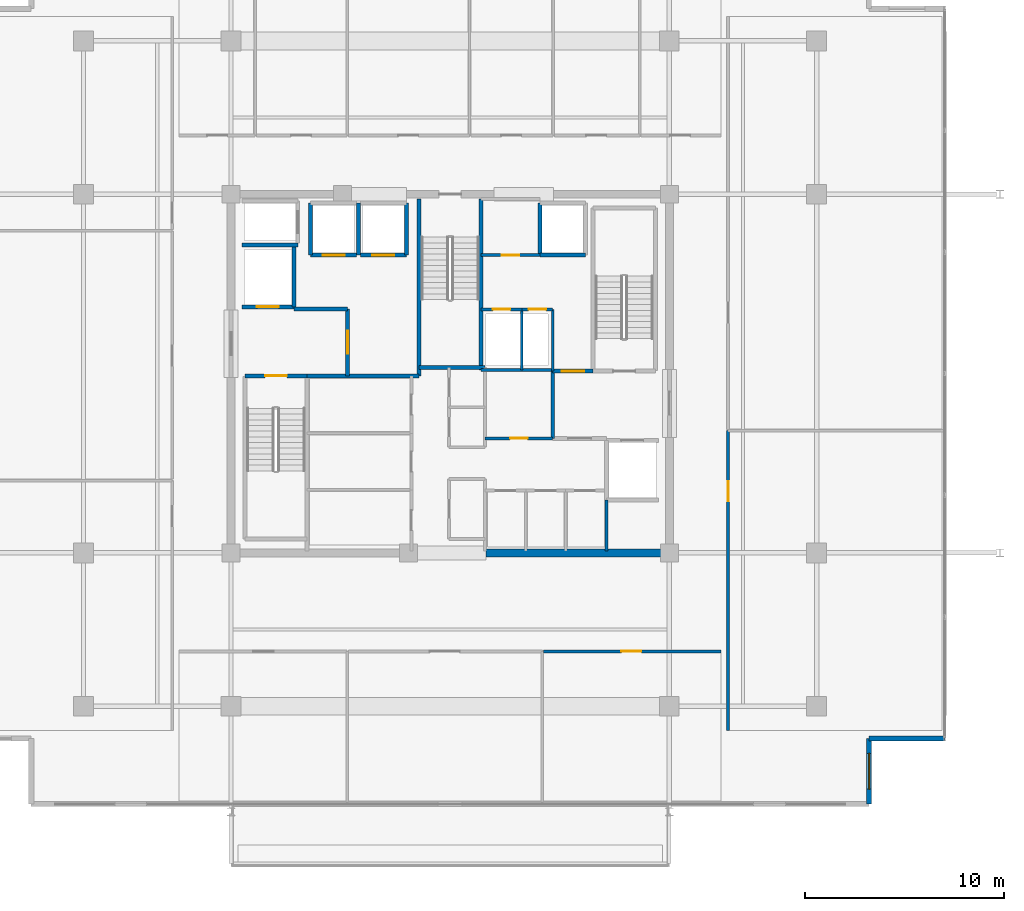
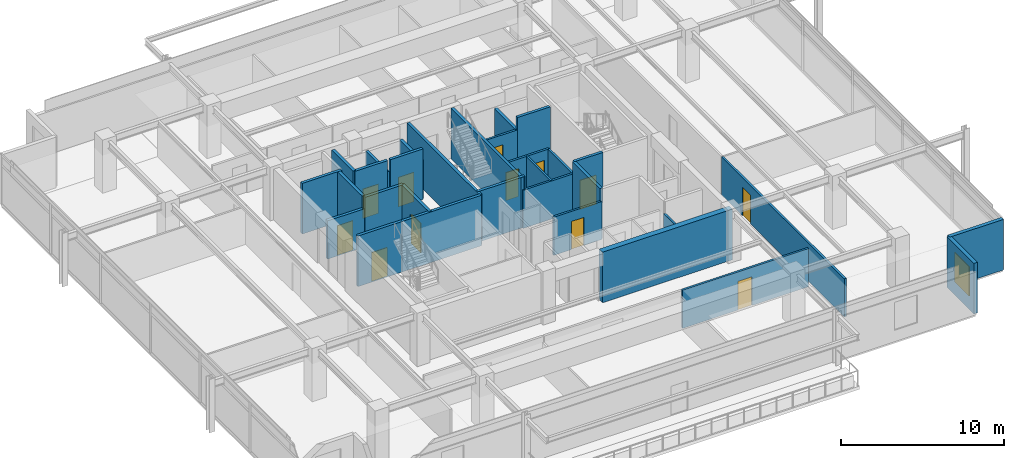
# One storey, part 14 of 20: 32 walls, 12 doors, 1 window, 13 openings.
"""IFC4 building model written with IfcOpenShell, lengths in metres."""

from ifc_helpers import new_model, si_unit, direction, frame, frame_2d, origin, place, context, subcontext, project, spatial, rectangle, extrude, material, layer, layer_set, type_object, element, fill, save


model = new_model("IFC4")

# Units and contexts
model_context = context("Model", 3, precision=1e-05, world=origin(), true_north=direction((0.0, 1.0)))
body_context = subcontext(model_context, "Body", "Model", "MODEL_VIEW")
ifc_project = project(units=[si_unit("LENGTHUNIT", "METRE"), si_unit("AREAUNIT", "SQUARE_METRE"), si_unit("VOLUMEUNIT", "CUBIC_METRE"), si_unit("PLANEANGLEUNIT", "RADIAN"), si_unit("MASSUNIT", "GRAM", prefix="KILO")], contexts=[model_context])

# Site, building, storey
site_placement = place(None, origin())
site = spatial("IfcSite", under=ifc_project, at=site_placement, CompositionType="ELEMENT")
building_placement = place(site_placement, origin())
building = spatial("IfcBuilding", under=site, at=building_placement, Name="Kovane Verandah Tower", CompositionType="ELEMENT")
storey_placement = place(building_placement, frame((0.0, 0.0, 318.800048828125)))
storey = spatial("IfcBuildingStorey", under=building, at=storey_placement, Name="L74", CompositionType="ELEMENT", Elevation=318.800048828125)

# Walls
ifc_material_1 = material(Name="Fire-Rated Gypsum Stud Partition", Category="gypsum")
ifc_layer_1 = layer(ifc_material_1, 0.14990234375)
ifc_layer_set_1 = layer_set([ifc_layer_1], Name="Fire-Rated Gypsum Stud Partition")
wall_type_1 = type_object("IfcWallType", Name="WL-COR-150", PredefinedType="PARTITIONING", material=ifc_layer_set_1)
wall_1_placement = place(storey_placement, frame((41.56005859375, 27.679931640625, 0.0), z_axis=(0.0, 0.0, 1.0), x_axis=(1.0, 0.0, 0.0)))
element("IfcWall", 1, at=wall_1_placement, inside=storey, type_object=wall_type_1, Name="L74 East Core Service Riser South Wall", PredefinedType="PARTITIONING", context=body_context, shape_type="SweptSolid", body=[
    extrude(rectangle(XDim=3.58984375, YDim=0.14990234375, at=frame_2d((1.794921875, 0.0))), origin(), (0.0, 0.0, 1.0), 2.849853515625),
])
wall_2_placement = place(storey_placement, frame((47.85009765625, 18.60009765625, 0.0), z_axis=(0.0, 0.0, 1.0), x_axis=(0.0, 1.0, 0.0)))
element("IfcWall", 2, at=wall_2_placement, inside=storey, type_object=wall_type_1, Name="L74 East Core Support East Wall", PredefinedType="PARTITIONING", context=body_context, shape_type="SweptSolid", body=[
    extrude(rectangle(XDim=2.539794921875, YDim=0.14990234375, at=frame_2d((1.27001953125, 0.0))), origin(), (0.0, 0.0, 1.0), 2.849853515625),
])

# Wall, opening, door
wall_3_placement = place(storey_placement, frame((41.760009765625, 24.25, 0.0), z_axis=(0.0, 0.0, 1.0), x_axis=(1.0, 0.0, 0.0)))
wall_3 = element("IfcWall", 3, at=wall_3_placement, inside=storey, type_object=wall_type_1, Name="L74 Supply Store Partition", PredefinedType="PARTITIONING", context=body_context, shape_type="SweptSolid", body=[
    extrude(rectangle(XDim=3.389892578125, YDim=0.14990234375, at=frame_2d((1.69482421875, 0.0))), origin(), (0.0, 0.0, 1.0), 2.849853515625),
])
opening_1_placement = place(wall_3_placement, frame((1.2548828125, 0.0, 0.0)))
opening_1 = element("IfcOpeningElement", 4, at=opening_1_placement, cuts=wall_3, Name="Opening DR-L74-019", PredefinedType="OPENING", context=body_context, shape_type="SweptSolid", body=[
    extrude(rectangle(XDim=0.8798828125, YDim=2.10009765625, at=frame_2d((0.43994140625, 1.050048828125))), frame((0.0, 0.074951171875, 0.0), z_axis=(0.0, -1.0, 0.0), x_axis=(1.0, 0.0, 0.0)), (0.0, 0.0, 1.0), 0.14990234375),
])
ifc_material_2 = material(Name="Fire-Rated Steel Riser Access Door", Category="steel")
door_type_1 = type_object("IfcDoorType", Name="DR-RISER-880", OperationType="SINGLE_SWING_LEFT", PredefinedType="DOOR", material=ifc_material_2)
door_1_placement = place(opening_1_placement, origin())
door_1 = element("IfcDoor", 5, at=door_1_placement, inside=storey, type_object=door_type_1, Name="L74 Supply Store Door", OperationType="SINGLE_SWING_RIGHT", OverallHeight=2.10009765625, OverallWidth=0.8798828125, PredefinedType="DOOR", context=body_context, shape_type="SweptSolid", body=[
    extrude(rectangle(XDim=0.8798828125, YDim=2.10009765625, at=frame_2d((0.43994140625, 1.050048828125))), frame((0.0, 0.02490234375, 0.0), z_axis=(0.0, -1.0, 0.0), x_axis=(1.0, 0.0, 0.0)), (0.0, 0.0, 1.0), 0.050048828125),
])
fill(opening_1, door_1)

# Wall
wall_4_placement = place(storey_placement, frame((45.14990234375, 27.6201171875, 0.0), z_axis=(0.0, 0.0, 1.0), x_axis=(0.0, 1.0, 0.0)))
element("IfcWall", 6, at=wall_4_placement, inside=storey, type_object=wall_type_1, Name="L74 East Core Service Riser East Wall", PredefinedType="PARTITIONING", context=body_context, shape_type="SweptSolid", body=[
    extrude(rectangle(XDim=3.099853515625, YDim=0.14990234375, at=frame_2d((1.5498046875, 0.0))), origin(), (0.0, 0.0, 1.0), 2.849853515625),
])

# Wall, opening, door
wall_5_placement = place(storey_placement, frame((41.56005859375, 30.719970703125, 0.0), z_axis=(0.0, 0.0, 1.0), x_axis=(1.0, 0.0, 0.0)))
wall_5 = element("IfcWall", 7, at=wall_5_placement, inside=storey, type_object=wall_type_1, Name="L74 Electrical Sub-Main Riser Room Partition", PredefinedType="PARTITIONING", context=body_context, shape_type="SweptSolid", body=[
    extrude(rectangle(XDim=2.0400390625, YDim=0.14990234375, at=frame_2d((1.02001953125, 0.0))), origin(), (0.0, 0.0, 1.0), 2.849853515625),
])
opening_2_placement = place(wall_5_placement, frame((0.580078125, 0.0, 0.0)))
opening_2 = element("IfcOpeningElement", 8, at=opening_2_placement, cuts=wall_5, Name="Opening DR-L74-021", PredefinedType="OPENING", context=body_context, shape_type="SweptSolid", body=[
    extrude(rectangle(XDim=0.8798828125, YDim=2.10009765625, at=frame_2d((0.43994140625, 1.050048828125))), frame((0.0, 0.074951171875, 0.0), z_axis=(0.0, -1.0, 0.0), x_axis=(1.0, 0.0, 0.0)), (0.0, 0.0, 1.0), 0.14990234375),
])
door_2_placement = place(opening_2_placement, origin())
door_2 = element("IfcDoor", 9, at=door_2_placement, inside=storey, type_object=door_type_1, Name="L74 Electrical Sub-Main Riser Room Door", OperationType="SINGLE_SWING_LEFT", OverallHeight=2.10009765625, OverallWidth=0.8798828125, PredefinedType="DOOR", context=body_context, shape_type="SweptSolid", body=[
    extrude(rectangle(XDim=0.8798828125, YDim=2.10009765625, at=frame_2d((0.43994140625, 1.050048828125))), frame((0.0, 0.02490234375, 0.0), z_axis=(0.0, -1.0, 0.0), x_axis=(1.0, 0.0, 0.0)), (0.0, 0.0, 1.0), 0.050048828125),
])
fill(opening_2, door_2)

wall_6_placement = place(storey_placement, frame((43.60009765625, 30.719970703125, 0.0), z_axis=(0.0, 0.0, 1.0), x_axis=(1.0, 0.0, 0.0)))
wall_6 = element("IfcWall", 10, at=wall_6_placement, inside=storey, type_object=wall_type_1, Name="L74 Sprinkler Wet Riser Room Partition", PredefinedType="PARTITIONING", context=body_context, shape_type="SweptSolid", body=[
    extrude(rectangle(XDim=1.5498046875, YDim=0.14990234375, at=frame_2d((0.77490234375, 0.0))), origin(), (0.0, 0.0, 1.0), 2.849853515625),
])
opening_3_placement = place(wall_6_placement, frame((0.3349609375, 0.0, 0.0)))
opening_3 = element("IfcOpeningElement", 11, at=opening_3_placement, cuts=wall_6, Name="Opening DR-L74-022", PredefinedType="OPENING", context=body_context, shape_type="SweptSolid", body=[
    extrude(rectangle(XDim=0.8798828125, YDim=2.10009765625, at=frame_2d((0.43994140625, 1.050048828125))), frame((0.0, 0.074951171875, 0.0), z_axis=(0.0, -1.0, 0.0), x_axis=(1.0, 0.0, 0.0)), (0.0, 0.0, 1.0), 0.14990234375),
])
door_3_placement = place(opening_3_placement, origin())
door_3 = element("IfcDoor", 12, at=door_3_placement, inside=storey, type_object=door_type_1, Name="L74 Sprinkler Wet Riser Room Door", OperationType="SINGLE_SWING_RIGHT", OverallHeight=2.10009765625, OverallWidth=0.8798828125, PredefinedType="DOOR", context=body_context, shape_type="SweptSolid", body=[
    extrude(rectangle(XDim=0.8798828125, YDim=2.10009765625, at=frame_2d((0.43994140625, 1.050048828125))), frame((0.0, 0.02490234375, 0.0), z_axis=(0.0, -1.0, 0.0), x_axis=(1.0, 0.0, 0.0)), (0.0, 0.0, 1.0), 0.050048828125),
])
fill(opening_3, door_3)

wall_7_placement = place(storey_placement, frame((41.56005859375, 33.449951171875, 0.0), z_axis=(0.0, 0.0, 1.0), x_axis=(1.0, 0.0, 0.0)))
wall_7 = element("IfcWall", 13, at=wall_7_placement, inside=storey, type_object=wall_type_1, Name="L74 Sky Telecom Riser Room Partition", PredefinedType="PARTITIONING", context=body_context, shape_type="SweptSolid", body=[
    extrude(rectangle(XDim=2.93994140625, YDim=0.14990234375, at=frame_2d((1.469970703125, 0.0))), origin(), (0.0, 0.0, 1.0), 2.849853515625),
])
opening_4_placement = place(wall_7_placement, frame((1.030029296875, 0.0, 0.0)))
opening_4 = element("IfcOpeningElement", 14, at=opening_4_placement, cuts=wall_7, Name="Opening DR-L74-020", PredefinedType="OPENING", context=body_context, shape_type="SweptSolid", body=[
    extrude(rectangle(XDim=0.8798828125, YDim=2.10009765625, at=frame_2d((0.43994140625, 1.050048828125))), frame((0.0, 0.074951171875, 0.0), z_axis=(0.0, -1.0, 0.0), x_axis=(1.0, 0.0, 0.0)), (0.0, 0.0, 1.0), 0.14990234375),
])
door_4_placement = place(opening_4_placement, origin())
door_4 = element("IfcDoor", 15, at=door_4_placement, inside=storey, type_object=door_type_1, Name="L74 Sky Telecom Riser Room Door", OperationType="SINGLE_SWING_LEFT", OverallHeight=2.10009765625, OverallWidth=0.8798828125, PredefinedType="DOOR", context=body_context, shape_type="SweptSolid", body=[
    extrude(rectangle(XDim=0.8798828125, YDim=2.10009765625, at=frame_2d((0.43994140625, 1.050048828125))), frame((0.0, 0.02490234375, 0.0), z_axis=(0.0, -1.0, 0.0), x_axis=(1.0, 0.0, 0.0)), (0.0, 0.0, 1.0), 0.050048828125),
])
fill(opening_4, door_4)

wall_8_placement = place(storey_placement, frame((44.694091796875, 13.550048828125, 0.0), z_axis=(0.0, 0.0, 1.0), x_axis=(1.0, 0.0, 0.0)))
wall_8 = element("IfcWall", 16, at=wall_8_placement, inside=storey, type_object=wall_type_1, Name="L74 Meeting Room S3 Corridor Partition", PredefinedType="PARTITIONING", context=body_context, shape_type="SweptSolid", body=[
    extrude(rectangle(XDim=8.906005859375, YDim=0.14990234375, at=frame_2d((4.453125, 0.0))), origin(), (0.0, 0.0, 1.0), 2.849853515625),
])
opening_5_placement = place(wall_8_placement, frame((3.903076171875, 0.0, 0.0)))
opening_5 = element("IfcOpeningElement", 17, at=opening_5_placement, cuts=wall_8, Name="Opening DR-L74-031", PredefinedType="OPENING", context=body_context, shape_type="SweptSolid", body=[
    extrude(rectangle(XDim=1.0, YDim=2.14990234375, at=frame_2d((0.5, 1.074951171875))), frame((0.0, 0.074951171875, 0.0), z_axis=(0.0, -1.0, 0.0), x_axis=(1.0, 0.0, 0.0)), (0.0, 0.0, 1.0), 0.14990234375),
])
ifc_material_3 = material(Name="FSC Spotted-Gum Timber Fire-Rated Office Door", Category="wood")
door_type_2 = type_object("IfcDoorType", Name="DR-OFF-1000", OperationType="SINGLE_SWING_LEFT", PredefinedType="DOOR", material=ifc_material_3)
door_5_placement = place(opening_5_placement, origin())
door_5 = element("IfcDoor", 18, at=door_5_placement, inside=storey, type_object=door_type_2, Name="L74 Meeting Room S3 Entrance Door", OperationType="SINGLE_SWING_RIGHT", OverallHeight=2.14990234375, OverallWidth=1.0, PredefinedType="DOOR", context=body_context, shape_type="SweptSolid", body=[
    extrude(rectangle(XDim=1.0, YDim=2.14990234375, at=frame_2d((0.5, 1.074951171875))), frame((0.0, 0.02490234375, 0.0), z_axis=(0.0, -1.0, 0.0), x_axis=(1.0, 0.0, 0.0)), (0.0, 0.0, 1.0), 0.050048828125),
])
fill(opening_5, door_5)

wall_9_placement = place(storey_placement, frame((53.949951171875, 9.584228515625, 0.0), z_axis=(0.0, 0.0, 1.0), x_axis=(0.0, 1.0, 0.0)))
wall_9 = element("IfcWall", 19, at=wall_9_placement, inside=storey, type_object=wall_type_1, Name="L74 Document and Print Room E1 Corridor Partition", PredefinedType="PARTITIONING", context=body_context, shape_type="SweptSolid", body=[
    extrude(rectangle(XDim=15.04931640625, YDim=0.14990234375, at=frame_2d((7.524658203125, 0.0))), origin(), (0.0, 0.0, 1.0), 2.849853515625),
])
opening_6_placement = place(wall_9_placement, frame((11.497314453125, 0.0, 0.0)))
opening_6 = element("IfcOpeningElement", 20, at=opening_6_placement, cuts=wall_9, Name="Opening DR-L74-011", PredefinedType="OPENING", context=body_context, shape_type="SweptSolid", body=[
    extrude(rectangle(XDim=1.0, YDim=2.14990234375, at=frame_2d((0.5, 1.074951171875))), frame((0.0, 0.074951171875, 0.0), z_axis=(0.0, -1.0, 0.0), x_axis=(1.0, 0.0, 0.0)), (0.0, 0.0, 1.0), 0.14990234375),
])
door_6_placement = place(opening_6_placement, origin())
door_6 = element("IfcDoor", 21, at=door_6_placement, inside=storey, type_object=door_type_2, Name="L74 Document and Print Room E1 Entrance Door", OperationType="SINGLE_SWING_RIGHT", OverallHeight=2.14990234375, OverallWidth=1.0, PredefinedType="DOOR", context=body_context, shape_type="SweptSolid", body=[
    extrude(rectangle(XDim=1.0, YDim=2.14990234375, at=frame_2d((0.5, 1.074951171875))), frame((0.0, 0.02490234375, 0.0), z_axis=(0.0, -1.0, 0.0), x_axis=(1.0, 0.0, 0.0)), (0.0, 0.0, 1.0), 0.050048828125),
])
fill(opening_6, door_6)

# Wall
ifc_material_4 = material(Name="Concrete C60/75", Category="concrete")
ifc_layer_2 = layer(ifc_material_4, 0.39990234375)
ifc_layer_set_2 = layer_set([ifc_layer_2], Name="Concrete C60/75")
wall_type_2 = type_object("IfcWallType", Name="WL-CORE-400", PredefinedType="SHEAR", material=ifc_layer_set_2)
wall_10_placement = place(storey_placement, frame((41.800048828125, 18.5, 0.0), z_axis=(0.0, 0.0, 1.0), x_axis=(1.0, 0.0, 0.0)))
element("IfcWall", 22, at=wall_10_placement, inside=storey, type_object=wall_type_2, Name="L74 Core Shear Wall CS-2", PredefinedType="SHEAR", context=body_context, shape_type="SweptSolid", body=[
    extrude(rectangle(XDim=9.199951171875, YDim=0.39990234375, at=frame_2d((4.60009765625, 0.0))), origin(), (0.0, 0.0, 1.0), 3.784912109375),
])

# Wall, opening, door
ifc_material_5 = material(Name="Concrete C45/55 Fire Wall", Category="concrete")
ifc_layer_3 = layer(ifc_material_5, 0.199951171875)
ifc_layer_set_3 = layer_set([ifc_layer_3], Name="Concrete C45/55 Fire Wall")
wall_type_3 = type_object("IfcWallType", Name="WL-FFL-200", PredefinedType="PARTITIONING", material=ifc_layer_set_3)
wall_11_placement = place(storey_placement, frame((34.85009765625, 27.3798828125, 0.0), z_axis=(0.0, 0.0, 1.0), x_axis=(0.0, 1.0, 0.0)))
wall_11 = element("IfcWall", 23, at=wall_11_placement, inside=storey, type_object=wall_type_3, Name="W-L74-FFLW-E", PredefinedType="PARTITIONING", context=body_context, shape_type="SweptSolid", body=[
    extrude(rectangle(XDim=3.3701171875, YDim=0.199951171875, at=frame_2d((1.68505859375, 0.0))), origin(), (0.0, 0.0, 1.0), 3.784912109375),
])
opening_7_placement = place(wall_11_placement, frame((1.110107421875, 0.0, 0.0)))
opening_7 = element("IfcOpeningElement", 24, at=opening_7_placement, cuts=wall_11, Name="Opening DR-L74-006", PredefinedType="OPENING", context=body_context, shape_type="SweptSolid", body=[
    extrude(rectangle(XDim=1.14990234375, YDim=2.199951171875, at=frame_2d((0.574951171875, 1.10009765625))), frame((0.0, 0.10009765625, 0.0), z_axis=(0.0, -1.0, 0.0), x_axis=(1.0, 0.0, 0.0)), (0.0, 0.0, 1.0), 0.199951171875),
])
ifc_material_6 = material(Name="Smoke-Sealed Firefighting Lobby Door", Category="steel")
door_type_3 = type_object("IfcDoorType", Name="DR-FFL-1150", OperationType="SINGLE_SWING_LEFT", PredefinedType="DOOR", material=ifc_material_6)
door_7_placement = place(opening_7_placement, origin())
door_7 = element("IfcDoor", 25, at=door_7_placement, inside=storey, type_object=door_type_3, Name="L74 West Firefighting Lobby Inner Door", OperationType="SINGLE_SWING_LEFT", OverallHeight=2.199951171875, OverallWidth=1.14990234375, PredefinedType="DOOR", context=body_context, shape_type="SweptSolid", body=[
    extrude(rectangle(XDim=1.14990234375, YDim=2.199951171875, at=frame_2d((0.574951171875, 1.10009765625))), frame((0.0, 0.02490234375, 0.0), z_axis=(0.0, -1.0, 0.0), x_axis=(1.0, 0.0, 0.0)), (0.0, 0.0, 1.0), 0.050048828125),
])
fill(opening_7, door_7)

# Walls
wall_12_placement = place(storey_placement, frame((32.820068359375, 27.3798828125, 0.0), z_axis=(0.0, 0.0, 1.0), x_axis=(1.0, 0.0, 0.0)))
element("IfcWall", 26, at=wall_12_placement, inside=storey, type_object=wall_type_3, Name="L74 West Firefighting Lobby South Fire Wall", PredefinedType="PARTITIONING", context=body_context, shape_type="SweptSolid", body=[
    extrude(rectangle(XDim=5.619873046875, YDim=0.199951171875, at=frame_2d((2.81005859375, 0.0))), origin(), (0.0, 0.0, 1.0), 3.784912109375),
])
wall_13_placement = place(storey_placement, frame((32.14990234375, 30.75, 0.0), z_axis=(0.0, 0.0, 1.0), x_axis=(1.0, 0.0, 0.0)))
element("IfcWall", 27, at=wall_13_placement, inside=storey, type_object=wall_type_3, Name="L74 West Firefighting Lobby North Fire Wall", PredefinedType="PARTITIONING", context=body_context, shape_type="SweptSolid", body=[
    extrude(rectangle(XDim=2.7001953125, YDim=0.199951171875, at=frame_2d((1.35009765625, 0.0))), origin(), (0.0, 0.0, 1.0), 3.784912109375),
])
wall_14_placement = place(storey_placement, frame((45.14990234375, 24.25, 0.0), z_axis=(0.0, 0.0, 1.0), x_axis=(0.0, 1.0, 0.0)))
element("IfcWall", 28, at=wall_14_placement, inside=storey, type_object=wall_type_3, Name="L74 East Firefighting Lobby West Fire Wall", PredefinedType="PARTITIONING", context=body_context, shape_type="SweptSolid", body=[
    extrude(rectangle(XDim=3.3701171875, YDim=0.199951171875, at=frame_2d((1.68505859375, 0.0))), origin(), (0.0, 0.0, 1.0), 3.784912109375),
])

# Wall, opening, door
wall_15_placement = place(storey_placement, frame((45.14990234375, 27.6201171875, 0.0), z_axis=(0.0, 0.0, 1.0), x_axis=(1.0, 0.0, 0.0)))
wall_15 = element("IfcWall", 29, at=wall_15_placement, inside=storey, type_object=wall_type_3, Name="W-L74-FFLE-N", PredefinedType="PARTITIONING", context=body_context, shape_type="SweptSolid", body=[
    extrude(rectangle(XDim=2.030029296875, YDim=0.199951171875, at=frame_2d((1.01513671875, 0.0))), origin(), (0.0, 0.0, 1.0), 3.784912109375),
])
opening_8_placement = place(wall_15_placement, frame((0.43994140625, 0.0, 0.0)))
opening_8 = element("IfcOpeningElement", 30, at=opening_8_placement, cuts=wall_15, Name="Opening DR-L74-004", PredefinedType="OPENING", context=body_context, shape_type="SweptSolid", body=[
    extrude(rectangle(XDim=1.14990234375, YDim=2.199951171875, at=frame_2d((0.574951171875, 1.10009765625))), frame((0.0, 0.10009765625, 0.0), z_axis=(0.0, -1.0, 0.0), x_axis=(1.0, 0.0, 0.0)), (0.0, 0.0, 1.0), 0.199951171875),
])
door_8_placement = place(opening_8_placement, origin())
door_8 = element("IfcDoor", 31, at=door_8_placement, inside=storey, type_object=door_type_3, Name="L74 East Firefighting Lobby Shuttle Link Door", OperationType="SINGLE_SWING_LEFT", OverallHeight=2.199951171875, OverallWidth=1.14990234375, PredefinedType="DOOR", context=body_context, shape_type="SweptSolid", body=[
    extrude(rectangle(XDim=1.14990234375, YDim=2.199951171875, at=frame_2d((0.574951171875, 1.10009765625))), frame((0.0, 0.02490234375, 0.0), z_axis=(0.0, -1.0, 0.0), x_axis=(1.0, 0.0, 0.0)), (0.0, 0.0, 1.0), 0.050048828125),
])
fill(opening_8, door_8)

ifc_material_7 = material(Name="Concrete C45/55 Lift Shaft Wall", Category="concrete")
ifc_layer_4 = layer(ifc_material_7, 0.199951171875)
ifc_layer_set_4 = layer_set([ifc_layer_4], Name="Concrete C45/55 Lift Shaft Wall")
wall_type_4 = type_object("IfcWallType", Name="WL-LIFT-200", PredefinedType="SOLIDWALL", material=ifc_layer_set_4)
wall_16_placement = place(storey_placement, frame((29.550048828125, 30.85009765625, 0.0), z_axis=(0.0, 0.0, 1.0), x_axis=(1.0, 0.0, 0.0)))
wall_16 = element("IfcWall", 32, at=wall_16_placement, inside=storey, type_object=wall_type_4, Name="L74 Lift FL-01 S Shaft Wall", PredefinedType="SOLIDWALL", context=body_context, shape_type="SweptSolid", body=[
    extrude(rectangle(XDim=2.599853515625, YDim=0.199951171875, at=frame_2d((1.2998046875, 0.0))), origin(), (0.0, 0.0, 1.0), 2.864990234375),
])
opening_9_placement = place(wall_16_placement, frame((0.75, 0.0, 0.0)))
opening_9 = element("IfcOpeningElement", 33, at=opening_9_placement, cuts=wall_16, Name="Opening LD-L74-001", PredefinedType="OPENING", context=body_context, shape_type="SweptSolid", body=[
    extrude(rectangle(XDim=1.10009765625, YDim=2.199951171875, at=frame_2d((0.550048828125, 1.10009765625))), frame((0.0, 0.10009765625, 0.0), z_axis=(0.0, -1.0, 0.0), x_axis=(1.0, 0.0, 0.0)), (0.0, 0.0, 1.0), 0.199951171875),
])
ifc_material_8 = material(Name="Brushed Stainless Steel Sliding Lift Landing Door", Category="steel")
door_type_4 = type_object("IfcDoorType", Name="DR-LIFT-1100", OperationType="SLIDING_TO_RIGHT", PredefinedType="DOOR", material=ifc_material_8)
door_9_placement = place(opening_9_placement, origin())
door_9 = element("IfcDoor", 34, at=door_9_placement, inside=storey, type_object=door_type_4, Name="L74 Lift FL-01 Sliding Landing Door", OperationType="SLIDING_TO_RIGHT", OverallHeight=2.199951171875, OverallWidth=1.10009765625, PredefinedType="DOOR", context=body_context, shape_type="SweptSolid", body=[
    extrude(rectangle(XDim=1.10009765625, YDim=2.199951171875, at=frame_2d((0.550048828125, 1.10009765625))), frame((0.0, 0.02490234375, 0.0), z_axis=(0.0, -1.0, 0.0), x_axis=(1.0, 0.0, 0.0)), (0.0, 0.0, 1.0), 0.050048828125),
])
fill(opening_9, door_9)

# Walls
wall_17_placement = place(storey_placement, frame((29.550048828125, 33.949951171875, 0.0), z_axis=(0.0, 0.0, 1.0), x_axis=(1.0, 0.0, 0.0)))
element("IfcWall", 35, at=wall_17_placement, inside=storey, type_object=wall_type_4, Name="L74 Lift FL-01 and GL-01 Shared Shaft Wall", PredefinedType="SOLIDWALL", context=body_context, shape_type="SweptSolid", body=[
    extrude(rectangle(XDim=2.800048828125, YDim=0.199951171875, at=frame_2d((1.39990234375, 0.0))), origin(), (0.0, 0.0, 1.0), 3.784912109375),
])
wall_18_placement = place(storey_placement, frame((32.14990234375, 30.85009765625, 0.0), z_axis=(0.0, 0.0, 1.0), x_axis=(0.0, 1.0, 0.0)))
element("IfcWall", 36, at=wall_18_placement, inside=storey, type_object=wall_type_4, Name="L74 Lift FL-01 E Shaft Wall", PredefinedType="SOLIDWALL", context=body_context, shape_type="SweptSolid", body=[
    extrude(rectangle(XDim=3.0, YDim=0.199951171875, at=frame_2d((1.5, 0.0))), origin(), (0.0, 0.0, 1.0), 3.784912109375),
])

# Wall, opening, door
wall_19_placement = place(storey_placement, frame((33.0, 33.449951171875, 0.0), z_axis=(0.0, 0.0, 1.0), x_axis=(1.0, 0.0, 0.0)))
wall_19 = element("IfcWall", 37, at=wall_19_placement, inside=storey, type_object=wall_type_4, Name="L74 Lift PL-H1 S Shaft Wall", PredefinedType="SOLIDWALL", context=body_context, shape_type="SweptSolid", body=[
    extrude(rectangle(XDim=2.300048828125, YDim=0.199951171875, at=frame_2d((1.14990234375, 0.0))), origin(), (0.0, 0.0, 1.0), 3.784912109375),
])
opening_10_placement = place(wall_19_placement, frame((0.60009765625, 0.0, 0.0)))
opening_10 = element("IfcOpeningElement", 38, at=opening_10_placement, cuts=wall_19, Name="Opening LD-L74-004", PredefinedType="OPENING", context=body_context, shape_type="SweptSolid", body=[
    extrude(rectangle(XDim=1.10009765625, YDim=2.199951171875, at=frame_2d((0.550048828125, 1.10009765625))), frame((0.0, 0.10009765625, 0.0), z_axis=(0.0, -1.0, 0.0), x_axis=(1.0, 0.0, 0.0)), (0.0, 0.0, 1.0), 0.199951171875),
])
door_10_placement = place(opening_10_placement, origin())
door_10 = element("IfcDoor", 39, at=door_10_placement, inside=storey, type_object=door_type_4, Name="L74 Lift PL-H1 Sliding Landing Door", OperationType="SLIDING_TO_RIGHT", OverallHeight=2.199951171875, OverallWidth=1.10009765625, PredefinedType="DOOR", context=body_context, shape_type="SweptSolid", body=[
    extrude(rectangle(XDim=1.10009765625, YDim=2.199951171875, at=frame_2d((0.550048828125, 1.10009765625))), frame((0.0, 0.02490234375, 0.0), z_axis=(0.0, -1.0, 0.0), x_axis=(1.0, 0.0, 0.0)), (0.0, 0.0, 1.0), 0.050048828125),
])
fill(opening_10, door_10)

# Walls
wall_20_placement = place(storey_placement, frame((33.0, 36.050048828125, 0.0), z_axis=(0.0, 0.0, 1.0), x_axis=(0.0, -1.0, 0.0)))
element("IfcWall", 40, at=wall_20_placement, inside=storey, type_object=wall_type_4, Name="L74 Lift PL-H1 W Shaft Wall", PredefinedType="SOLIDWALL", context=body_context, shape_type="SweptSolid", body=[
    extrude(rectangle(XDim=2.60009765625, YDim=0.199951171875, at=frame_2d((1.300048828125, 0.0))), origin(), (0.0, 0.0, 1.0), 3.784912109375),
])
wall_21_placement = place(storey_placement, frame((35.39990234375, 33.449951171875, 0.0), z_axis=(0.0, 0.0, 1.0), x_axis=(0.0, 1.0, 0.0)))
element("IfcWall", 41, at=wall_21_placement, inside=storey, type_object=wall_type_4, Name="L74 Lift PL-H1 and PL-H2 Shared Shaft Wall", PredefinedType="SOLIDWALL", context=body_context, shape_type="SweptSolid", body=[
    extrude(rectangle(XDim=2.60009765625, YDim=0.199951171875, at=frame_2d((1.300048828125, 0.0))), origin(), (0.0, 0.0, 1.0), 2.864990234375),
])

# Wall, opening, door
wall_22_placement = place(storey_placement, frame((35.5, 33.449951171875, 0.0), z_axis=(0.0, 0.0, 1.0), x_axis=(1.0, 0.0, 0.0)))
wall_22 = element("IfcWall", 42, at=wall_22_placement, inside=storey, type_object=wall_type_4, Name="L74 Lift PL-H2 S Shaft Wall", PredefinedType="SOLIDWALL", context=body_context, shape_type="SweptSolid", body=[
    extrude(rectangle(XDim=2.300048828125, YDim=0.199951171875, at=frame_2d((1.14990234375, 0.0))), origin(), (0.0, 0.0, 1.0), 3.784912109375),
])
opening_11_placement = place(wall_22_placement, frame((0.60009765625, 0.0, 0.0)))
opening_11 = element("IfcOpeningElement", 43, at=opening_11_placement, cuts=wall_22, Name="Opening LD-L74-005", PredefinedType="OPENING", context=body_context, shape_type="SweptSolid", body=[
    extrude(rectangle(XDim=1.10009765625, YDim=2.199951171875, at=frame_2d((0.550048828125, 1.10009765625))), frame((0.0, 0.10009765625, 0.0), z_axis=(0.0, -1.0, 0.0), x_axis=(1.0, 0.0, 0.0)), (0.0, 0.0, 1.0), 0.199951171875),
])
door_11_placement = place(opening_11_placement, origin())
door_11 = element("IfcDoor", 44, at=door_11_placement, inside=storey, type_object=door_type_4, Name="L74 Lift PL-H2 Sliding Landing Door", OperationType="SLIDING_TO_RIGHT", OverallHeight=2.199951171875, OverallWidth=1.10009765625, PredefinedType="DOOR", context=body_context, shape_type="SweptSolid", body=[
    extrude(rectangle(XDim=1.10009765625, YDim=2.199951171875, at=frame_2d((0.550048828125, 1.10009765625))), frame((0.0, 0.02490234375, 0.0), z_axis=(0.0, -1.0, 0.0), x_axis=(1.0, 0.0, 0.0)), (0.0, 0.0, 1.0), 0.050048828125),
])
fill(opening_11, door_11)

# Walls
wall_23_placement = place(storey_placement, frame((37.800048828125, 33.449951171875, 0.0), z_axis=(0.0, 0.0, 1.0), x_axis=(0.0, 1.0, 0.0)))
element("IfcWall", 45, at=wall_23_placement, inside=storey, type_object=wall_type_4, Name="L74 Lift PL-H2 E Shaft Wall", PredefinedType="SOLIDWALL", context=body_context, shape_type="SweptSolid", body=[
    extrude(rectangle(XDim=2.60009765625, YDim=0.199951171875, at=frame_2d((1.300048828125, 0.0))), origin(), (0.0, 0.0, 1.0), 2.864990234375),
])
wall_24_placement = place(storey_placement, frame((44.5, 33.449951171875, 0.0), z_axis=(0.0, 0.0, 1.0), x_axis=(1.0, 0.0, 0.0)))
element("IfcWall", 46, at=wall_24_placement, inside=storey, type_object=wall_type_4, Name="L74 Lift OL-01 S Shaft Wall", PredefinedType="SOLIDWALL", context=body_context, shape_type="SweptSolid", body=[
    extrude(rectangle(XDim=2.300048828125, YDim=0.199951171875, at=frame_2d((1.14990234375, 0.0))), origin(), (0.0, 0.0, 1.0), 3.784912109375),
])
wall_25_placement = place(storey_placement, frame((44.5, 36.050048828125, 0.0), z_axis=(0.0, 0.0, 1.0), x_axis=(0.0, -1.0, 0.0)))
element("IfcWall", 47, at=wall_25_placement, inside=storey, type_object=wall_type_4, Name="L74 Lift OL-01 W Shaft Wall", PredefinedType="SOLIDWALL", context=body_context, shape_type="SweptSolid", body=[
    extrude(rectangle(XDim=2.60009765625, YDim=0.199951171875, at=frame_2d((1.300048828125, 0.0))), origin(), (0.0, 0.0, 1.0), 2.864990234375),
])
ifc_material_9 = material(Name="Acoustic Fire-Rated Gypsum Partition", Category="gypsum")
ifc_layer_5 = layer(ifc_material_9, 0.1201171875)
ifc_layer_set_5 = layer_set([ifc_layer_5], Name="Acoustic Fire-Rated Gypsum Partition")
wall_type_5 = type_object("IfcWallType", Name="WL-PART-120", PredefinedType="PARTITIONING", material=ifc_layer_set_5)
wall_26_placement = place(storey_placement, frame((43.60009765625, 27.679931640625, 0.0), z_axis=(0.0, 0.0, 1.0), x_axis=(0.0, 1.0, 0.0)))
element("IfcWall", 48, at=wall_26_placement, inside=storey, type_object=wall_type_5, Name="L74 Service Riser Dividing Partition", PredefinedType="PARTITIONING", context=body_context, shape_type="SweptSolid", body=[
    extrude(rectangle(XDim=3.0400390625, YDim=0.1201171875, at=frame_2d((1.52001953125, 0.0))), origin(), (0.0, 0.0, 1.0), 2.849853515625),
])

# Wall, opening, door
ifc_material_10 = material(Name="Concrete C45/55", Category="concrete")
ifc_layer_6 = layer(ifc_material_10, 0.199951171875)
ifc_layer_set_6 = layer_set([ifc_layer_6], Name="Concrete C45/55")
wall_type_6 = type_object("IfcWallType", Name="WL-SHAFT-200", PredefinedType="SOLIDWALL", material=ifc_layer_set_6)
wall_27_placement = place(storey_placement, frame((29.699951171875, 27.3798828125, 0.0), z_axis=(0.0, 0.0, 1.0), x_axis=(1.0, 0.0, 0.0)))
wall_27 = element("IfcWall", 49, at=wall_27_placement, inside=storey, type_object=wall_type_6, Name="W-L74-ST01-N", PredefinedType="SOLIDWALL", context=body_context, shape_type="SweptSolid", body=[
    extrude(rectangle(XDim=3.1201171875, YDim=0.199951171875, at=frame_2d((1.56005859375, 0.0))), origin(), (0.0, 0.0, 1.0), 3.784912109375),
])
opening_12_placement = place(wall_27_placement, frame((1.010009765625, 0.0, 0.0)))
opening_12 = element("IfcOpeningElement", 50, at=opening_12_placement, cuts=wall_27, Name="Opening DR-L74-008", PredefinedType="OPENING", context=body_context, shape_type="SweptSolid", body=[
    extrude(rectangle(XDim=1.10009765625, YDim=2.14990234375, at=frame_2d((0.550048828125, 1.074951171875))), frame((0.0, 0.10009765625, 0.0), z_axis=(0.0, -1.0, 0.0), x_axis=(1.0, 0.0, 0.0)), (0.0, 0.0, 1.0), 0.199951171875),
])
ifc_material_11 = material(Name="Fire-Rated Steel Exit Door", Category="steel")
door_type_5 = type_object("IfcDoorType", Name="DR-STAIR-1100", OperationType="SINGLE_SWING_LEFT", PredefinedType="DOOR", material=ifc_material_11)
door_12_placement = place(opening_12_placement, origin())
door_12 = element("IfcDoor", 51, at=door_12_placement, inside=storey, type_object=door_type_5, Name="L74 ST-01 Fire Exit Stair Door", OperationType="SINGLE_SWING_RIGHT", OverallHeight=2.14990234375, OverallWidth=1.10009765625, PredefinedType="DOOR", context=body_context, shape_type="SweptSolid", body=[
    extrude(rectangle(XDim=1.10009765625, YDim=2.14990234375, at=frame_2d((0.550048828125, 1.074951171875))), frame((0.0, 0.02490234375, 0.0), z_axis=(0.0, -1.0, 0.0), x_axis=(1.0, 0.0, 0.0)), (0.0, 0.0, 1.0), 0.050048828125),
])
fill(opening_12, door_12)

# Walls
wall_28_placement = place(storey_placement, frame((38.43994140625, 27.3798828125, 0.0), z_axis=(0.0, 0.0, 1.0), x_axis=(0.0, 1.0, 0.0)))
element("IfcWall", 52, at=wall_28_placement, inside=storey, type_object=wall_type_6, Name="W-L74-ST03-W", PredefinedType="SOLIDWALL", context=body_context, shape_type="SweptSolid", body=[
    extrude(rectangle(XDim=8.8701171875, YDim=0.199951171875, at=frame_2d((4.43505859375, 0.0))), origin(), (0.0, 0.0, 1.0), 3.784912109375),
])
wall_29_placement = place(storey_placement, frame((41.56005859375, 27.679931640625, 0.0), z_axis=(0.0, 0.0, 1.0), x_axis=(0.0, 1.0, 0.0)))
element("IfcWall", 53, at=wall_29_placement, inside=storey, type_object=wall_type_6, Name="W-L74-ST03-E", PredefinedType="SOLIDWALL", context=body_context, shape_type="SweptSolid", body=[
    extrude(rectangle(XDim=8.570068359375, YDim=0.199951171875, at=frame_2d((4.28515625, 0.0))), origin(), (0.0, 0.0, 1.0), 3.784912109375),
])
wall_30_placement = place(storey_placement, frame((38.43994140625, 27.800048828125, 0.0), z_axis=(0.0, 0.0, 1.0), x_axis=(1.0, 0.0, 0.0)))
element("IfcWall", 54, at=wall_30_placement, inside=storey, type_object=wall_type_6, Name="W-L74-ST03-S", PredefinedType="SOLIDWALL", context=body_context, shape_type="SweptSolid", body=[
    extrude(rectangle(XDim=3.320068359375, YDim=0.199951171875, at=frame_2d((1.66015625, 0.0))), origin(), (0.0, 0.0, 1.0), 3.784912109375),
])

# Wall, opening, window
ifc_material_12 = material(Name="Concrete C45/55 Insulated Spandrel Wall", Category="concrete")
ifc_layer_7 = layer(ifc_material_12, 0.260009765625)
ifc_layer_set_7 = layer_set([ifc_layer_7], Name="Concrete C45/55 Insulated Spandrel Wall")
wall_type_7 = type_object("IfcWallType", Name="WL-SPANDREL-260", PredefinedType="PARAPET", material=ifc_layer_set_7)
wall_31_placement = place(storey_placement, frame((61.031494140625, 5.88427734375, 0.0), z_axis=(0.0, 0.0, 1.0), x_axis=(0.0, 1.0, 0.0)))
wall_31 = element("IfcWall", 55, at=wall_31_placement, inside=storey, type_object=wall_type_7, Name="L74 SE Notch Cheek Wall 1", PredefinedType="PARAPET", context=body_context, shape_type="SweptSolid", body=[
    extrude(rectangle(XDim=3.300048828125, YDim=0.260009765625, at=frame_2d((1.64990234375, 0.0))), origin(), (0.0, 0.0, 1.0), 3.784912109375),
])
opening_13_placement = place(wall_31_placement, frame((0.75, 0.0, 0.85009765625)))
opening_13 = element("IfcOpeningElement", 56, at=opening_13_placement, cuts=wall_31, Name="Opening W-03", PredefinedType="OPENING", context=body_context, shape_type="SweptSolid", body=[
    extrude(rectangle(XDim=1.800048828125, YDim=2.199951171875, at=frame_2d((0.89990234375, 1.10009765625))), frame((0.0, 0.1298828125, 0.0), z_axis=(0.0, -1.0, 0.0), x_axis=(1.0, 0.0, 0.0)), (0.0, 0.0, 1.0), 0.260009765625),
])
ifc_material_13 = material(Name="Clear Low-E Laminated Double Glazing in Anodised Frame", Category="glass")
window_type = type_object("IfcWindowType", Name="WN-NOTCH-1800x2200", PartitioningType="SINGLE_PANEL", PredefinedType="WINDOW", material=ifc_material_13)
window_placement = place(opening_13_placement, origin())
window = element("IfcWindow", 57, at=window_placement, inside=storey, type_object=window_type, Name="L74 SE Re-Entrant Corner Operable Window", OverallHeight=2.199951171875, OverallWidth=1.800048828125, PartitioningType="SINGLE_PANEL", PredefinedType="WINDOW", context=body_context, shape_type="SweptSolid", body=[
    extrude(rectangle(XDim=1.800048828125, YDim=2.199951171875, at=frame_2d((0.89990234375, 1.10009765625))), frame((0.0, 0.030029296875, 0.0), z_axis=(0.0, -1.0, 0.0), x_axis=(1.0, 0.0, 0.0)), (0.0, 0.0, 1.0), 0.06005859375),
])
fill(opening_13, window)

# Wall
wall_32_placement = place(storey_placement, frame((61.031494140625, 9.184326171875, 0.0), z_axis=(0.0, 0.0, 1.0), x_axis=(1.0, 0.0, 0.0)))
element("IfcWall", 58, at=wall_32_placement, inside=storey, type_object=wall_type_7, Name="L74 SE Notch Cheek Wall 2", PredefinedType="PARAPET", context=body_context, shape_type="SweptSolid", body=[
    extrude(rectangle(XDim=3.800048828125, YDim=0.260009765625, at=frame_2d((1.89990234375, 0.0))), origin(), (0.0, 0.0, 1.0), 3.784912109375),
])

save(model, "model.ifc")
